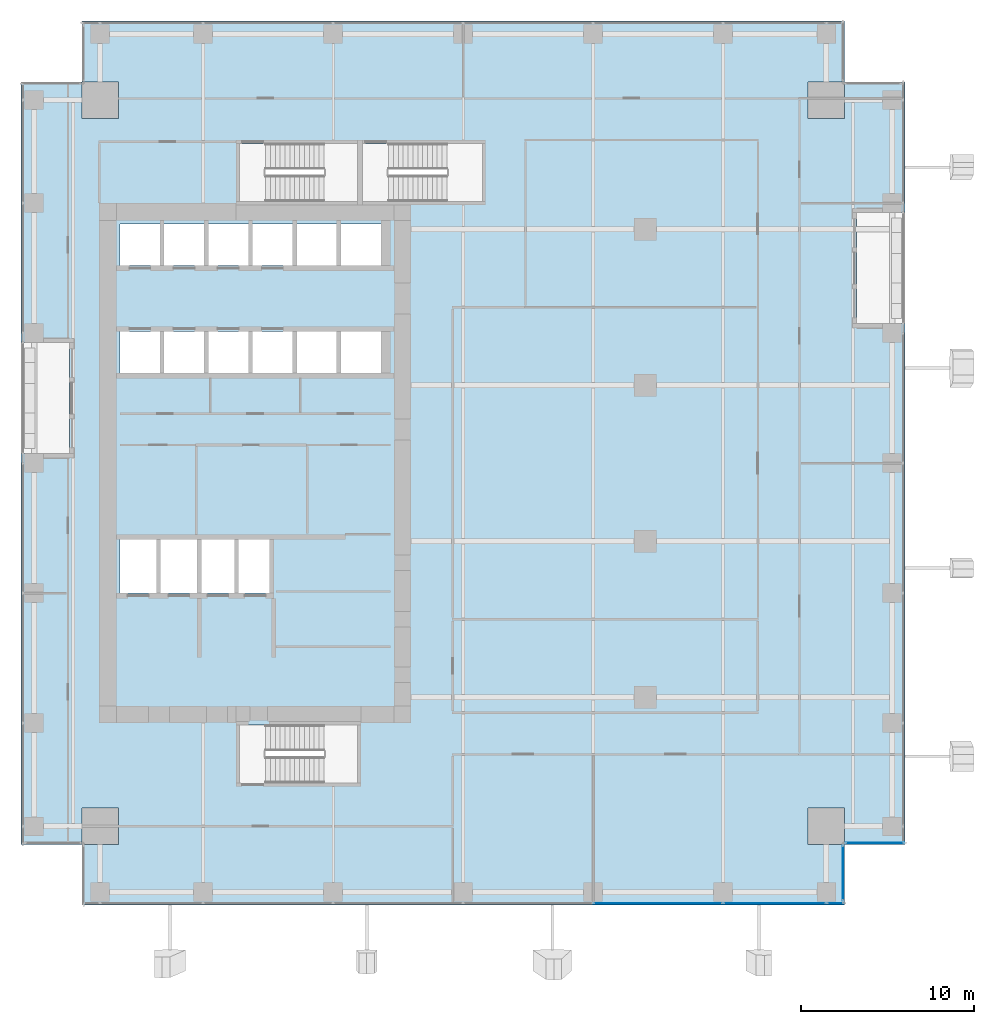
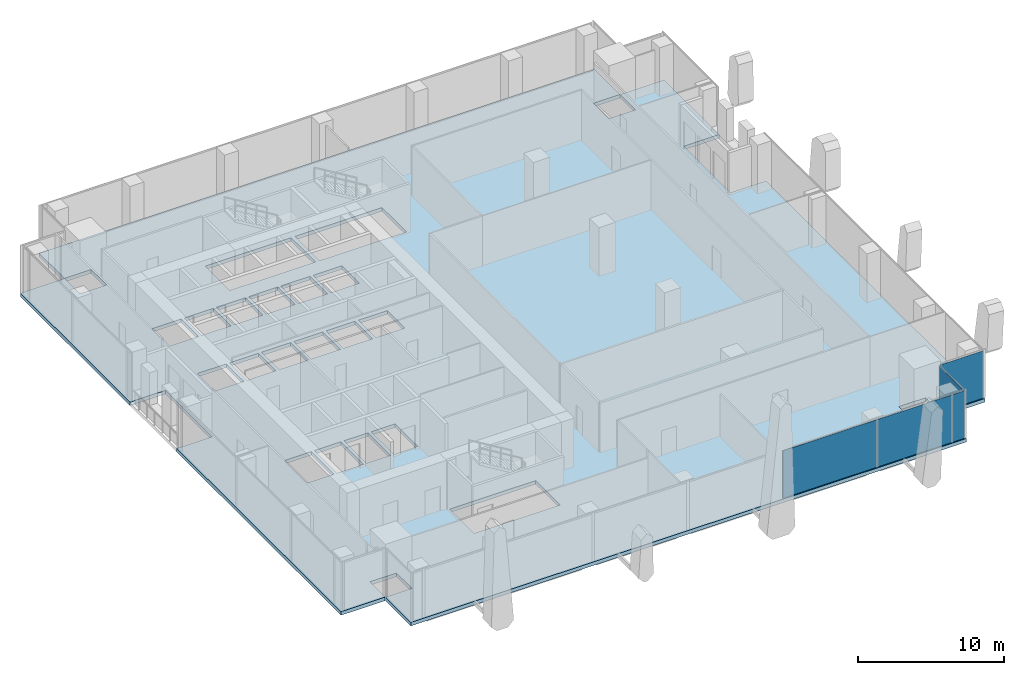
# One storey, part 24 of 35: 5 plates, 1 slab, 3 elements without a shape of their own.
"""IFC4 building model written with IfcOpenShell, lengths in metres."""

from ifc_helpers import new_model, si_unit, direction, frame, origin, origin_2d, place, context, subcontext, project, spatial, polyline, rectangle, outline, extrude, source, transform, mapped, material, layer, layer_set, type_object, element, aggregate, save


model = new_model("IFC4")

# Units and contexts
model_context = context("Model", 3, precision=1e-05, world=origin(), true_north=direction((0.0, 1.0)))
body_context = subcontext(model_context, "Body", "Model", "MODEL_VIEW")
ifc_project = project(units=[si_unit("LENGTHUNIT", "METRE"), si_unit("AREAUNIT", "SQUARE_METRE"), si_unit("VOLUMEUNIT", "CUBIC_METRE"), si_unit("PLANEANGLEUNIT", "RADIAN"), si_unit("MASSUNIT", "GRAM", prefix="KILO")], contexts=[model_context])

# Site, building, storey
site_placement = place(None, origin())
site = spatial("IfcSite", under=ifc_project, at=site_placement, CompositionType="ELEMENT")
building_placement = place(site_placement, origin())
building = spatial("IfcBuilding", under=site, at=building_placement, Name="Khomas Fold Tower", CompositionType="ELEMENT")
storey_placement = place(building_placement, frame((0.0, 0.0, 136.699951171875)))
storey = spatial("IfcBuildingStorey", under=building, at=storey_placement, Name="L29", CompositionType="ELEMENT", Elevation=136.699951171875)

# Slab
ifc_material_1 = material(Name="Concrete C40/50", Category="concrete")
ifc_layer_1 = layer(ifc_material_1, 0.300048828125)
ifc_layer_set_1 = layer_set([ifc_layer_1], Name="Concrete C40/50")
slab_type = type_object("IfcSlabType", Name="RC floor slab 300", PredefinedType="FLOOR", material=ifc_layer_set_1)
shared_shape_1 = source(origin(), body_context, "Body", "SweptSolid", [
    extrude(outline(polyline([(1.5, 5.0), (4.9951171875, 5.0), (4.9951171875, 7.10498046875), (7.10498046875, 7.10498046875), (7.10498046875, 4.9951171875), (5.0, 4.9951171875), (5.0, 1.5), (49.0, 1.5), (49.0, 4.9951171875), (46.89501953125, 4.9951171875), (46.89501953125, 7.10498046875), (49.0048828125, 7.10498046875), (49.0048828125, 5.0), (52.5, 5.0), (52.5, 35.050048828125), (49.699951171875, 35.050048828125), (49.699951171875, 41.449951171875), (52.5, 41.449951171875), (52.5, 49.0), (49.0048828125, 49.0), (49.0048828125, 46.89501953125), (46.89501953125, 46.89501953125), (46.89501953125, 49.0048828125), (49.0, 49.0048828125), (49.0, 52.5), (5.0, 52.5), (5.0, 49.0048828125), (7.10498046875, 49.0048828125), (7.10498046875, 46.89501953125), (4.9951171875, 46.89501953125), (4.9951171875, 49.0), (1.5, 49.0), (1.5, 33.949951171875), (4.300048828125, 33.949951171875), (4.300048828125, 27.550048828125), (1.5, 27.550048828125), (1.5, 5.0)]), holes=[polyline([(7.199951171875, 19.5), (7.199951171875, 22.60009765625), (9.300048828125, 22.60009765625), (9.300048828125, 19.5), (7.199951171875, 19.5)]), polyline([(7.199951171875, 32.199951171875), (7.199951171875, 34.60009765625), (9.5, 34.60009765625), (9.5, 32.199951171875), (7.199951171875, 32.199951171875)]), polyline([(7.199951171875, 38.39990234375), (7.199951171875, 40.800048828125), (9.5, 40.800048828125), (9.5, 38.39990234375), (7.199951171875, 38.39990234375)]), polyline([(9.550048828125, 19.5), (9.550048828125, 22.60009765625), (11.64990234375, 22.60009765625), (11.64990234375, 19.5), (9.550048828125, 19.5)]), polyline([(9.75, 32.199951171875), (9.75, 34.60009765625), (12.050048828125, 34.60009765625), (12.050048828125, 32.199951171875), (9.75, 32.199951171875)]), polyline([(9.75, 38.39990234375), (9.75, 40.800048828125), (12.050048828125, 40.800048828125), (12.050048828125, 38.39990234375), (9.75, 38.39990234375)]), polyline([(11.89990234375, 19.5), (11.89990234375, 22.60009765625), (13.800048828125, 22.60009765625), (13.800048828125, 19.5), (11.89990234375, 19.5)]), polyline([(12.300048828125, 32.199951171875), (12.300048828125, 34.60009765625), (14.60009765625, 34.60009765625), (14.60009765625, 32.199951171875), (12.300048828125, 32.199951171875)]), polyline([(12.300048828125, 38.39990234375), (12.300048828125, 40.800048828125), (14.60009765625, 40.800048828125), (14.60009765625, 38.39990234375), (12.300048828125, 38.39990234375)]), polyline([(14.050048828125, 19.5), (14.050048828125, 22.60009765625), (15.949951171875, 22.60009765625), (15.949951171875, 19.5), (14.050048828125, 19.5)]), polyline([(14.10009765625, 8.550048828125), (14.10009765625, 11.89990234375), (20.89990234375, 11.89990234375), (20.89990234375, 8.550048828125), (14.10009765625, 8.550048828125)]), polyline([(14.10009765625, 42.10009765625), (14.10009765625, 45.449951171875), (20.89990234375, 45.449951171875), (20.89990234375, 42.10009765625), (14.10009765625, 42.10009765625)]), polyline([(14.85009765625, 32.199951171875), (14.85009765625, 34.60009765625), (17.14990234375, 34.60009765625), (17.14990234375, 32.199951171875), (14.85009765625, 32.199951171875)]), polyline([(14.85009765625, 38.39990234375), (14.85009765625, 40.800048828125), (17.14990234375, 40.800048828125), (17.14990234375, 38.39990234375), (14.85009765625, 38.39990234375)]), polyline([(17.39990234375, 32.199951171875), (17.39990234375, 34.60009765625), (19.699951171875, 34.60009765625), (19.699951171875, 32.199951171875), (17.39990234375, 32.199951171875)]), polyline([(17.39990234375, 38.39990234375), (17.39990234375, 40.800048828125), (19.699951171875, 40.800048828125), (19.699951171875, 38.39990234375), (17.39990234375, 38.39990234375)]), polyline([(19.949951171875, 32.199951171875), (19.949951171875, 34.60009765625), (22.25, 34.60009765625), (22.25, 32.199951171875), (19.949951171875, 32.199951171875)]), polyline([(19.949951171875, 38.39990234375), (19.949951171875, 40.800048828125), (22.25, 40.800048828125), (22.25, 38.39990234375), (19.949951171875, 38.39990234375)]), polyline([(21.199951171875, 42.10009765625), (21.199951171875, 45.449951171875), (28.10009765625, 45.449951171875), (28.10009765625, 42.10009765625), (21.199951171875, 42.10009765625)])]), origin(), (0.0, 0.0, 1.0), 0.300048828125),
])
slab_placement = place(storey_placement, frame((0.0, 0.0, -0.300048828125)))
element("IfcSlab", 1, at=slab_placement, inside=storey, type_object=slab_type, Name="S-L29", PredefinedType="FLOOR", context=body_context, shape_type="MappedRepresentation", body=[
    mapped(shared_shape_1, transform((0.0, 0.0, 0.0))),
])

# Curtain wall, plates
ifc_material_2 = material(Name="Aluminium framed double glazing", Category="aluminium")
curtain_wall_type = type_object("IfcCurtainWallType", Name="SK-Unitised clear-glass wall, growing floors CW1", PredefinedType="NOTDEFINED", material=ifc_material_2)
curtain_wall_1_placement = place(storey_placement, origin())
curtain_wall_1 = element("IfcCurtainWall", 2, at=curtain_wall_1_placement, inside=storey, type_object=curtain_wall_type, Name="CW1 run L29 00-0", PredefinedType="NOTDEFINED")
ifc_material_3 = material(Name="Clear double glazed unit")
ifc_layer_2 = layer(ifc_material_3, 0.031982421875)
ifc_layer_set_2 = layer_set([ifc_layer_2], Name="Clear double glazed unit")
plate_type = type_object("IfcPlateType", Name="SK-Unitised clear-glass wall, growing floors glass panel CW1-P", PredefinedType="CURTAIN_PANEL", material=ifc_layer_set_2)
shared_shape_2 = source(origin(), body_context, "Body", "SweptSolid", [
    extrude(rectangle(XDim=5.889892578125, YDim=0.031982421875, at=origin_2d()), origin(), (0.0, 0.0, 1.0), 3.97998046875),
])
plate_1_placement = place(storey_placement, frame((44.97509765625, 1.60009765625, 0.0), z_axis=(0.0, 0.0, 1.0), x_axis=(1.0, 0.0, 0.0)))
plate_1 = element("IfcPlate", 3, at=plate_1_placement, type_object=plate_type, Name="CW1 glass panel 7", PredefinedType="CURTAIN_PANEL", context=body_context, shape_type="MappedRepresentation", body=[
    mapped(shared_shape_2, transform((0.0, 0.0, 0.0))),
])
shared_shape_3 = source(origin(), body_context, "Body", "SweptSolid", [
    extrude(rectangle(XDim=7.43994140625, YDim=0.031982421875, at=origin_2d()), origin(), (0.0, 0.0, 1.0), 3.97998046875),
])
plate_2_placement = place(storey_placement, frame((38.25, 1.60009765625, 0.0), z_axis=(0.0, 0.0, 1.0), x_axis=(1.0, 0.0, 0.0)))
plate_2 = element("IfcPlate", 4, at=plate_2_placement, type_object=plate_type, Name="CW1 glass panel 6", PredefinedType="CURTAIN_PANEL", context=body_context, shape_type="MappedRepresentation", body=[
    mapped(shared_shape_3, transform((0.0, 0.0, 0.0))),
])
shared_shape_4 = source(origin(), body_context, "Body", "SweptSolid", [
    extrude(rectangle(XDim=0.9599609375, YDim=0.031982421875, at=origin_2d()), origin(), (0.0, 0.0, 1.0), 3.97998046875),
])
plate_3_placement = place(storey_placement, frame((48.4599609375, 1.60009765625, 0.0), z_axis=(0.0, 0.0, 1.0), x_axis=(1.0, 0.0, 0.0)))
plate_3 = element("IfcPlate", 5, at=plate_3_placement, type_object=plate_type, Name="CW1 glass panel 8", PredefinedType="CURTAIN_PANEL", context=body_context, shape_type="MappedRepresentation", body=[
    mapped(shared_shape_4, transform((0.0, 0.0, 0.0))),
])
aggregate(curtain_wall_1, [plate_2, plate_1, plate_3])

# Curtain wall, plate
curtain_wall_2_placement = place(storey_placement, origin())
curtain_wall_2 = element("IfcCurtainWall", 6, at=curtain_wall_2_placement, inside=storey, type_object=curtain_wall_type, Name="CW1 corner return L29 01", PredefinedType="NOTDEFINED")
shared_shape_5 = source(origin(), body_context, "Body", "SweptSolid", [
    extrude(rectangle(XDim=3.179931640625, YDim=0.031982421875, at=origin_2d()), origin(), (0.0, 0.0, 1.0), 3.97998046875),
])
plate_4_placement = place(storey_placement, frame((48.89990234375, 3.35009765625, 0.0), z_axis=(0.0, 0.0, 1.0), x_axis=(0.0, 1.0, 0.0)))
plate_4 = element("IfcPlate", 7, at=plate_4_placement, type_object=plate_type, Name="CW1 glass panel 1", PredefinedType="CURTAIN_PANEL", context=body_context, shape_type="MappedRepresentation", body=[
    mapped(shared_shape_5, transform((0.0, 0.0, 0.0))),
])
aggregate(curtain_wall_2, [plate_4])

curtain_wall_3_placement = place(storey_placement, origin())
curtain_wall_3 = element("IfcCurtainWall", 8, at=curtain_wall_3_placement, inside=storey, type_object=curtain_wall_type, Name="CW1 corner return L29 02", PredefinedType="NOTDEFINED")
shared_shape_6 = source(origin(), body_context, "Body", "SweptSolid", [
    extrude(rectangle(XDim=3.3798828125, YDim=0.031982421875, at=origin_2d()), origin(), (0.0, 0.0, 1.0), 3.97998046875),
])
plate_5_placement = place(storey_placement, frame((50.75, 5.10009765625, 0.0), z_axis=(0.0, 0.0, 1.0), x_axis=(1.0, 0.0, 0.0)))
plate_5 = element("IfcPlate", 9, at=plate_5_placement, type_object=plate_type, Name="CW1 glass panel 1", PredefinedType="CURTAIN_PANEL", context=body_context, shape_type="MappedRepresentation", body=[
    mapped(shared_shape_6, transform((0.0, 0.0, 0.0))),
])
aggregate(curtain_wall_3, [plate_5])

save(model, "model.ifc")
